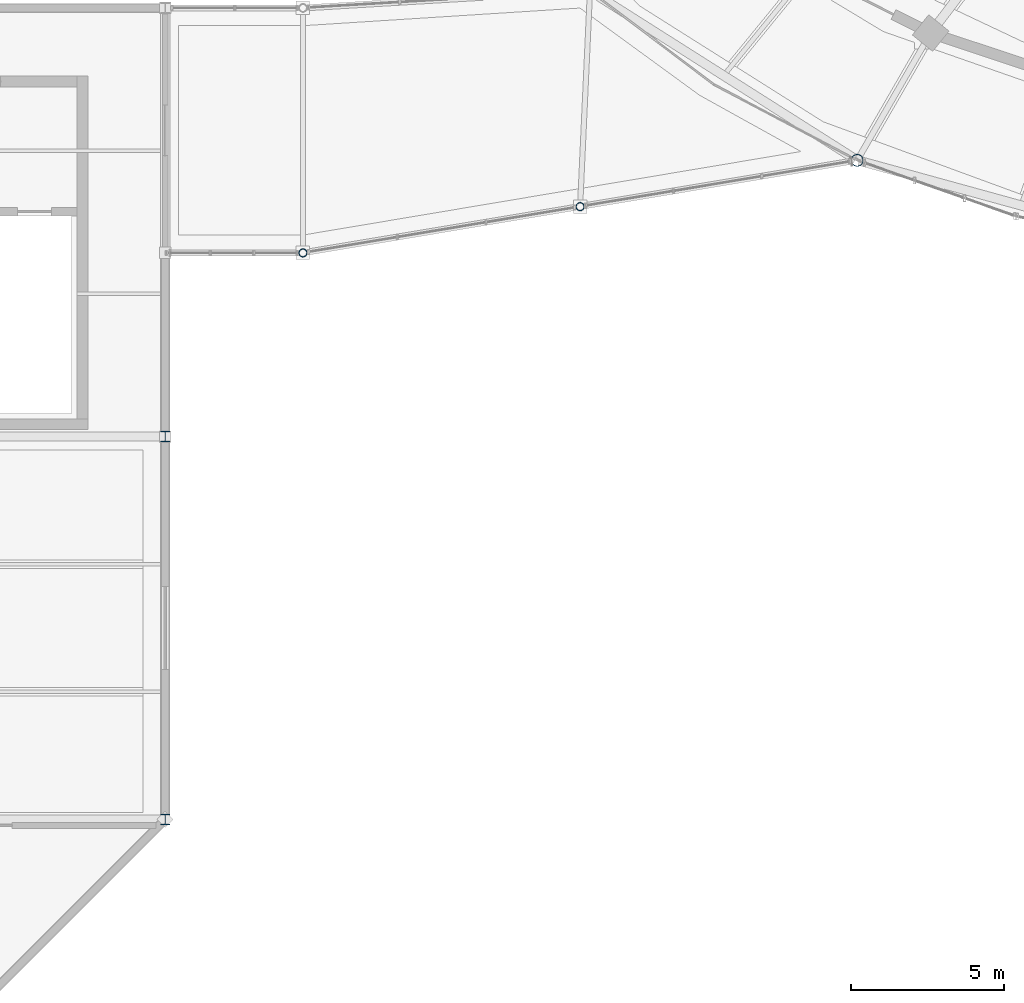
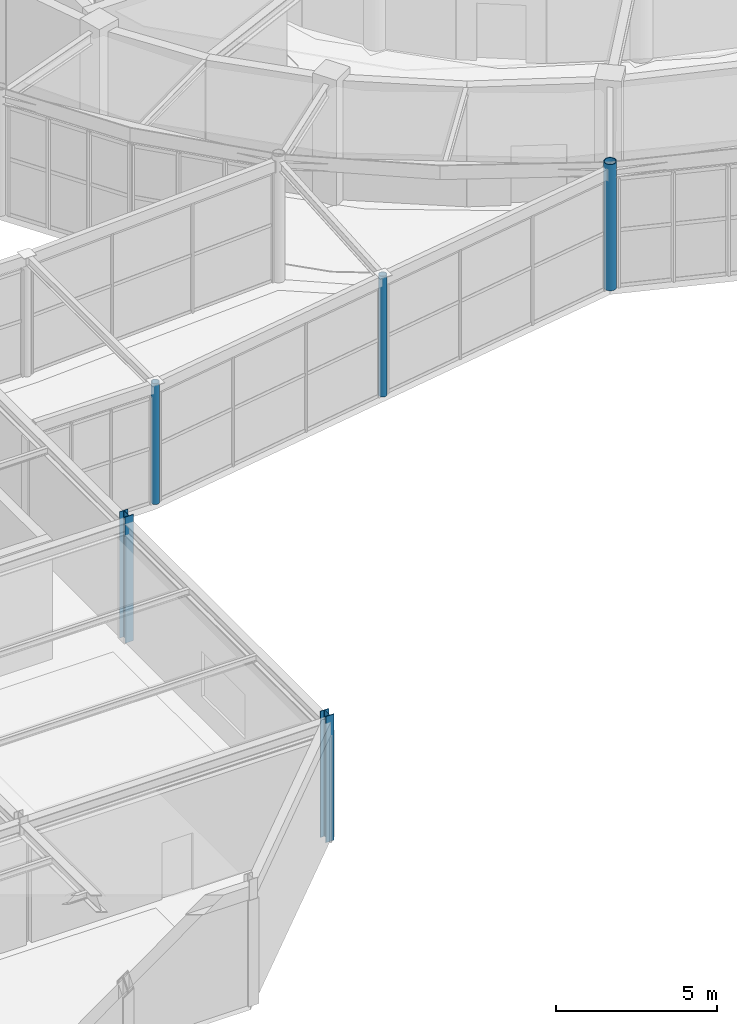
# One storey, part 2 of 100: 5 columns.
"""IFC4 building model written with IfcOpenShell, lengths in metres."""

import ifcopenshell
import ifcopenshell.guid

model = None  # the IFC model being written
_history = None  # IfcOwnerHistory: only IFC2X3 demands one
_inside = {}  # id of a spatial element -> (the spatial element, [elements in it])
_under = {}  # id of a project, library or spatial element -> (it, [spatial elements below it])
_declared = {}  # id of a project -> (the project, [libraries it declares])
_typed = {}  # id of a type object -> (the type object, [elements of that type])
_made_of = {}  # id of a material, layer set ... -> (it, [elements and type objects made of it])


def new_model(schema):
    """Start an empty IFC model of exactly this schema.

    Asked for "IFC4X3", IfcOpenShell would pick the latest addendum, in which some entities
    have other attributes; the version numbers below select the first issue.
    IFC2X3 requires an IfcOwnerHistory on every rooted entity: one is made here for all.
    """
    global model, _history
    if schema == "IFC4X3":
        model = ifcopenshell.file(schema_version=(4, 3, 0, 0))
    else:
        model = ifcopenshell.file(schema=schema)
    _inside.clear()
    _under.clear()
    _declared.clear()
    _typed.clear()
    _made_of.clear()
    _history = None
    if model.schema == "IFC2X3":
        org = make("IfcOrganization", Name="unknown")
        user = make(
            "IfcPersonAndOrganization",
            ThePerson=make("IfcPerson", FamilyName="unknown"),
            TheOrganization=org,
        )
        app = make(
            "IfcApplication",
            ApplicationDeveloper=org,
            Version="unknown",
            ApplicationFullName="unknown",
            ApplicationIdentifier="unknown",
        )
        _history = make(
            "IfcOwnerHistory",
            OwningUser=user,
            OwningApplication=app,
            ChangeAction="ADDED",
            CreationDate=0,
        )
    return model


def make(cls, **values):
    """One entity of the class cls with the attributes given. An attribute that is None is left unset."""
    return model.create_entity(
        cls, **{name: value for name, value in values.items() if value is not None}
    )


def rooted(cls, **values):
    """An entity with a GlobalId (a new one), such as an element, a storey or a relation."""
    return make(cls, GlobalId=ifcopenshell.guid.new(), OwnerHistory=_history, **values)


def si_unit(unit_type, name, prefix=None):
    """IfcSIUnit, for example si_unit("LENGTHUNIT", "METRE", prefix="MILLI")."""
    return make("IfcSIUnit", UnitType=unit_type, Prefix=prefix, Name=name)


def assignment(units):
    """IfcUnitAssignment: the units of a project."""
    return None if units is None else make("IfcUnitAssignment", Units=units)


def point(xyz):
    """IfcCartesianPoint."""
    return None if xyz is None else make("IfcCartesianPoint", Coordinates=xyz)


def direction(xyz):
    """IfcDirection."""
    return None if xyz is None else make("IfcDirection", DirectionRatios=xyz)


def frame(location, z_axis=None, x_axis=None):
    """IfcAxis2Placement3D, a coordinate frame: its origin and axes. An axis left out is left unset."""
    return make(
        "IfcAxis2Placement3D",
        Location=point(location),
        Axis=direction(z_axis),
        RefDirection=direction(x_axis),
    )


def frame_2d(location, x_axis=None):
    """IfcAxis2Placement2D, a coordinate frame in the plane: its origin and x axis."""
    return make(
        "IfcAxis2Placement2D", Location=point(location), RefDirection=direction(x_axis)
    )


def origin():
    """The frame at (0, 0, 0) with its axes left unset."""
    return frame((0.0, 0.0, 0.0))


def origin_2d():
    """The frame at (0, 0) in the plane with its x axis left unset."""
    return frame_2d((0.0, 0.0))


def place(relative_to, where):
    """IfcLocalPlacement: puts the frame where relative to a parent placement (None: the world)."""
    return make(
        "IfcLocalPlacement", PlacementRelTo=relative_to, RelativePlacement=where
    )


def context(
    kind, dimensions, precision=None, world=None, true_north=None, identifier=None
):
    """IfcGeometricRepresentationContext, for example the 3D "Model" context."""
    return make(
        "IfcGeometricRepresentationContext",
        ContextIdentifier=identifier,
        ContextType=kind,
        CoordinateSpaceDimension=dimensions,
        Precision=precision,
        WorldCoordinateSystem=world,
        TrueNorth=true_north,
    )


def subcontext(parent, identifier, kind, view, scale=None):
    """IfcGeometricRepresentationSubContext, for example "Body" below "Model"."""
    return make(
        "IfcGeometricRepresentationSubContext",
        ContextIdentifier=identifier,
        ContextType=kind,
        ParentContext=parent,
        TargetScale=scale,
        TargetView=view,
    )


def project(units=None, contexts=None):
    """IfcProject with its units and contexts."""
    return rooted(
        "IfcProject",
        Name="project",
        RepresentationContexts=contexts,
        UnitsInContext=assignment(units),
    )


def spatial(cls, under=None, at=None, **own):
    """A site, building, storey or space (cls), placed at a placement, below another one or the project."""
    s = rooted(cls, ObjectPlacement=at, **own)
    if under is not None:
        _under.setdefault(under.id(), (under, []))[1].append(s)
    return s


def profile(cls, at=None, kind="AREA", **sizes):
    """A parametric profile (cls). Its sizes go by their IFC names, for example OverallWidth=200.0."""
    return make(cls, ProfileType=kind, Position=at, **sizes)


def hollow_circle(**sizes):
    """IfcCircleHollowProfileDef."""
    return profile("IfcCircleHollowProfileDef", **sizes)


def i_section(**sizes):
    """IfcIShapeProfileDef."""
    return profile("IfcIShapeProfileDef", **sizes)


def extrude(swept, where, along, depth):
    """IfcExtrudedAreaSolid: the profile swept, set in the frame where, extruded along a direction by depth."""
    return make(
        "IfcExtrudedAreaSolid",
        SweptArea=swept,
        Position=where,
        ExtrudedDirection=direction(along),
        Depth=depth,
    )


def shape(context_of_items, identifier, shape_type, items):
    """IfcShapeRepresentation: the items that make up one representation, for example the "Body"."""
    return make(
        "IfcShapeRepresentation",
        ContextOfItems=context_of_items,
        RepresentationIdentifier=identifier,
        RepresentationType=shape_type,
        Items=items,
    )


def material(Name=None, Category=None):
    """IfcMaterial."""
    return make("IfcMaterial", Name=Name, Category=Category)


def material_profile(
    of_material, cross_section, Name=None, Category=None, Priority=None
):
    """IfcMaterialProfile: a cross section and its material."""
    return make(
        "IfcMaterialProfile",
        Name=Name,
        Material=of_material,
        Profile=cross_section,
        Priority=Priority,
        Category=Category,
    )


def profile_set(profiles, Name=None, composite=None):
    """IfcMaterialProfileSet."""
    return make(
        "IfcMaterialProfileSet",
        Name=Name,
        MaterialProfiles=profiles,
        CompositeProfile=composite,
    )


def made_of(thing, what):
    """Note that an element or type object is made of a material, layer set ...; save() writes the relation."""
    if what is not None:
        _made_of.setdefault(what.id(), (what, []))[1].append(thing)
    return thing


def type_object(cls, material=None, **own):
    """A type object (cls), such as IfcWallType, which elements share."""
    return made_of(rooted(cls, **own), material)


def element(
    cls,
    number,
    at=None,
    inside=None,
    cuts=None,
    type_object=None,
    material=None,
    context=None,
    identifier="Body",
    shape_type=None,
    held_by="IfcProductDefinitionShape",
    body=None,
    shapes=None,
    **own,
):
    """One element of the class cls, such as IfcWall. Its Tag is "e" and its number.

    at: its placement. inside: the storey or other place that contains it. cuts: it is an
    opening in that element (IfcRelVoidsElement). A single representation is given by context,
    identifier, shape_type and body (its items); several are given by shapes. held_by: the class
    of the entity that holds the representations. save() writes the other relations.
    """
    e = rooted(cls, Tag="e%d" % number, ObjectPlacement=at, **own)
    if body is not None:
        shapes = [shape(context, identifier, shape_type, body)]
    if shapes is not None:
        e.Representation = make(held_by, Representations=shapes)
    if inside is not None:
        _inside.setdefault(inside.id(), (inside, []))[1].append(e)
    if cuts is not None:
        rooted(
            "IfcRelVoidsElement", RelatingBuildingElement=cuts, RelatedOpeningElement=e
        )
    if type_object is not None:
        _typed.setdefault(type_object.id(), (type_object, []))[1].append(e)
    return made_of(e, material)


def aggregate(whole, parts):
    """IfcRelAggregates: a whole, such as a stair, and the parts it consists of."""
    return rooted("IfcRelAggregates", RelatingObject=whole, RelatedObjects=parts)


def save(model, path):
    """Write the relations noted so far, then the file.

    IfcRelAggregates (storeys below a building ...), IfcRelContainedInSpatialStructure (elements
    in a storey), IfcRelDefinesByType, IfcRelAssociatesMaterial and IfcRelDeclares: one each for
    every whole, place, type object, material and project.
    """
    for whole, parts in _under.values():
        aggregate(whole, parts)
    for where, things in _inside.values():
        rooted(
            "IfcRelContainedInSpatialStructure",
            RelatedElements=things,
            RelatingStructure=where,
        )
    for kind, things in _typed.values():
        rooted("IfcRelDefinesByType", RelatedObjects=things, RelatingType=kind)
    for what, things in _made_of.values():
        rooted("IfcRelAssociatesMaterial", RelatedObjects=things, RelatingMaterial=what)
    for by, libraries in _declared.values():
        rooted("IfcRelDeclares", RelatingContext=by, RelatedDefinitions=libraries)
    model.write(path)


model = new_model("IFC4")

# Units and contexts
model_context = context("Model", 3, precision=1e-05, world=origin(), true_north=direction((0.0, 1.0)))
body_context = subcontext(model_context, "Body", "Model", "MODEL_VIEW")
ifc_project = project(units=[si_unit("LENGTHUNIT", "METRE"), si_unit("AREAUNIT", "SQUARE_METRE"), si_unit("VOLUMEUNIT", "CUBIC_METRE"), si_unit("PLANEANGLEUNIT", "RADIAN"), si_unit("MASSUNIT", "GRAM", prefix="KILO")], contexts=[model_context])

# Site, building, storey
site_placement = place(None, origin())
site = spatial("IfcSite", under=ifc_project, at=site_placement, CompositionType="ELEMENT")
building_placement = place(site_placement, origin())
building = spatial("IfcBuilding", under=site, at=building_placement, Name="Tarnveldt Headland Concert Hall", CompositionType="ELEMENT")
storey_placement = place(building_placement, frame((0.0, 0.0, 4.800048828125)))
storey = spatial("IfcBuildingStorey", under=building, at=storey_placement, Name="L01", CompositionType="ELEMENT", Elevation=4.800048828125)

# Columns
ifc_material = material(Name="Steel S355", Category="steel")
ifc_material_profile_1 = material_profile(ifc_material, hollow_circle(Radius=0.136474609375, WallThickness=0.01611328125, at=origin_2d()), Name="CHS 273x16", Category="steel")
ifc_profile_set_1 = profile_set([ifc_material_profile_1], Name="Steel S355")
column_type_1 = type_object("IfcColumnType", Name="SC-CHS273", PredefinedType="COLUMN", material=ifc_profile_set_1)
for number, where, z_axis, x_axis, name in (
    (1, (49.0, 30.0, 0.0), (0.0, 0.0, 1.0), (1.0, 0.0, 0.0), "Column V4LK01 L01"),
    (2, (58.050048828125, 31.51123046875, 0.0), (0.0, 0.0, 1.0), (1.0, 0.0, 0.0), "Column V4LK03 L01"),
):
    element("IfcColumn", number, at=place(storey_placement, frame(where, z_axis=z_axis, x_axis=x_axis)), inside=storey, type_object=column_type_1, Name=name, PredefinedType="COLUMN", context=body_context, shape_type="SweptSolid", body=[
        extrude(hollow_circle(Radius=0.136474609375, WallThickness=0.01611328125, at=origin_2d()), origin(), (0.0, 0.0, 1.0), 4.5849609375),
    ])
ifc_material_profile_2 = material_profile(ifc_material, hollow_circle(Radius=0.203125, WallThickness=0.02490234375, at=origin_2d()), Name="CHS 406.4x25", Category="steel")
ifc_profile_set_2 = profile_set([ifc_material_profile_2], Name="Steel S355")
column_type_2 = type_object("IfcColumnType", Name="SC-CHS406", PredefinedType="COLUMN", material=ifc_profile_set_2)
column_placement = place(storey_placement, frame((67.10009765625, 33.022705078125, 0.0), z_axis=(0.0, 0.0, 1.0), x_axis=(-0.606959801962, -0.79473253287, 0.0)))
element("IfcColumn", 3, at=column_placement, inside=storey, type_object=column_type_2, Name="Column V1C13 L01", PredefinedType="COLUMN", context=body_context, shape_type="SweptSolid", body=[
    extrude(hollow_circle(Radius=0.203125, WallThickness=0.02490234375, at=origin_2d()), origin(), (0.0, 0.0, 1.0), 4.800048828125),
])
ifc_material_profile_3 = material_profile(ifc_material, i_section(OverallWidth=0.300048828125, OverallDepth=0.35009765625, WebThickness=0.010009765625, FlangeThickness=0.017578125, FilletRadius=0.027099609375, at=origin_2d()), Name="HEA360", Category="steel")
ifc_profile_set_3 = profile_set([ifc_material_profile_3], Name="Steel S355")
column_type_3 = type_object("IfcColumnType", Name="SC-HEA360", PredefinedType="COLUMN", material=ifc_profile_set_3)
for number, where, z_axis, x_axis, name in (
    (4, (44.5, 11.5, 0.0), (0.0, 0.0, 1.0), (1.0, 0.0, 0.0), "Column V4C06 L01"),
    (5, (44.5, 24.0, 0.0), (0.0, 0.0, 1.0), (1.0, 0.0, 0.0), "Column V4C07 L01"),
):
    element("IfcColumn", number, at=place(storey_placement, frame(where, z_axis=z_axis, x_axis=x_axis)), inside=storey, type_object=column_type_3, Name=name, PredefinedType="COLUMN", context=body_context, shape_type="SweptSolid", body=[
        extrude(i_section(OverallWidth=0.300048828125, OverallDepth=0.35009765625, WebThickness=0.010009765625, FlangeThickness=0.017578125, FilletRadius=0.027099609375, at=origin_2d()), origin(), (0.0, 0.0, 1.0), 4.800048828125),
    ])

save(model, "model.ifc")
